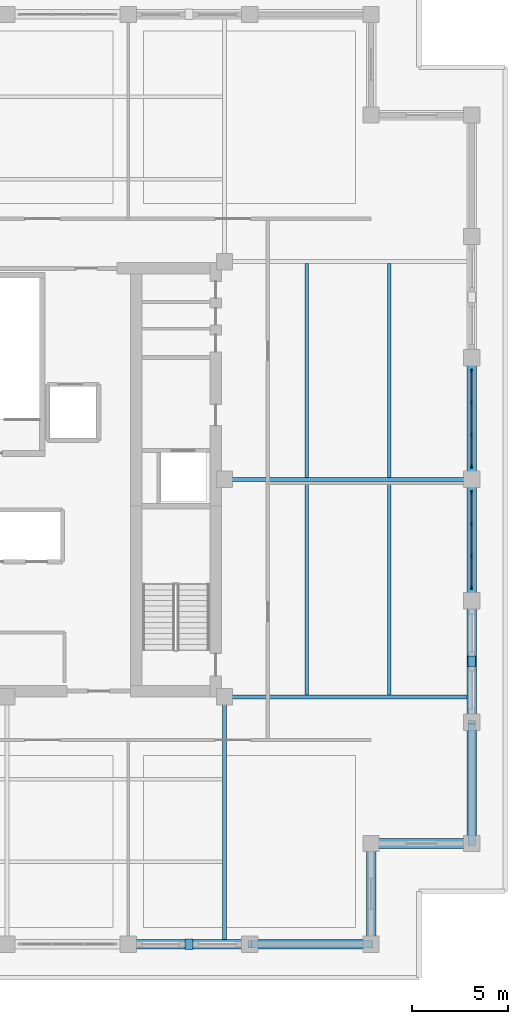
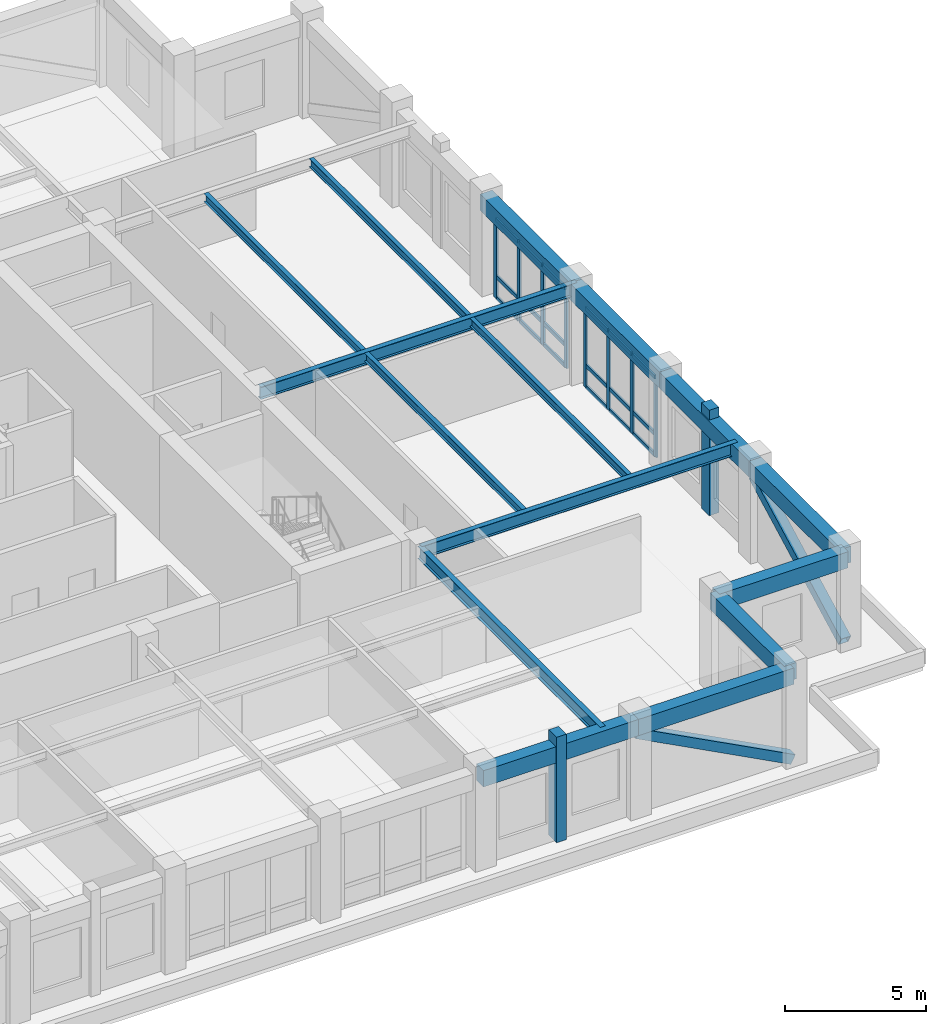
# One storey, part 4 of 14: 30 members, 15 beams, 2 elements without a shape of their own.
"""IFC4 building model written with IfcOpenShell, lengths in metres."""

from ifc_helpers import new_model, si_unit, direction, frame, origin, origin_2d, place, context, subcontext, project, spatial, rectangle, hollow_rectangle, i_section, extrude, material, layer, layer_set, material_profile, profile_set, type_object, element, aggregate, save


model = new_model("IFC4")

# Units and contexts
model_context = context("Model", 3, precision=1e-05, world=origin(), true_north=direction((0.0, 1.0)))
body_context = subcontext(model_context, "Body", "Model", "MODEL_VIEW")
ifc_project = project(units=[si_unit("LENGTHUNIT", "METRE"), si_unit("AREAUNIT", "SQUARE_METRE"), si_unit("VOLUMEUNIT", "CUBIC_METRE"), si_unit("PLANEANGLEUNIT", "RADIAN"), si_unit("MASSUNIT", "GRAM", prefix="KILO")], contexts=[model_context])

# Site, building, storey
site_placement = place(None, origin())
site = spatial("IfcSite", under=ifc_project, at=site_placement, CompositionType="ELEMENT")
building_placement = place(site_placement, origin())
building = spatial("IfcBuilding", under=site, at=building_placement, Name="Nhamokura Convention Tower", CompositionType="ELEMENT")
storey_placement = place(building_placement, frame((0.0, 0.0, 182.35009765625)))
storey = spatial("IfcBuildingStorey", under=building, at=storey_placement, Name="L44", CompositionType="ELEMENT", Elevation=182.35009765625)

# Members
ifc_material_1 = material(Name="Bronze-pigmented precast concrete C45/55", Category="concrete")
ifc_material_profile_1 = material_profile(ifc_material_1, rectangle(XDim=0.39990234375, YDim=0.550048828125, at=origin_2d()))
ifc_profile_set_1 = profile_set([ifc_material_profile_1], Name="Bronze-pigmented precast concrete C45/55")
member_type_1 = type_object("IfcMemberType", Name="BronzePilaster_550", PredefinedType="USERDEFINED", material=ifc_profile_set_1)
for number, where, z_axis, x_axis, name in (
    (1, (41.5, 7.75, 0.0), (0.0, 0.0, 1.0), (1.0, 0.0, 0.0), "L44 Engaged Frame Pilaster SOUTH 4"),
    (2, (56.25, 22.5, 0.0), (0.0, 0.0, 1.0), (1.0, 0.0, 0.0), "L44 Engaged Frame Pilaster EAST 1"),
):
    element("IfcMember", number, at=place(storey_placement, frame(where, z_axis=z_axis, x_axis=x_axis)), inside=storey, type_object=member_type_1, Name=name, ObjectType="PILASTER_TRIM", PredefinedType="USERDEFINED", context=body_context, shape_type="SweptSolid", body=[
        extrude(rectangle(XDim=0.39990234375, YDim=0.550048828125, at=origin_2d()), origin(), (0.0, 0.0, 1.0), 4.5498046875),
    ])

# Curtain wall, members
ifc_material_2 = material(Name="Anodised bronze aluminium AA6063-T6", Category="aluminium")
ifc_layer = layer(ifc_material_2, 0.18994140625)
ifc_layer_set = layer_set([ifc_layer], Name="CWSystem_SkyLobby")
curtain_wall_type = type_object("IfcCurtainWallType", Name="CWSystem_SkyLobby", PredefinedType="NOTDEFINED", material=ifc_layer_set)
curtain_wall_1_placement = place(storey_placement, origin())
curtain_wall_1 = element("IfcCurtainWall", 3, at=curtain_wall_1_placement, inside=storey, type_object=curtain_wall_type, Name="L44 Curtain Wall ENV-L44-CW-E2", PredefinedType="NOTDEFINED")
ifc_material_3 = material(Name="Anodised bronze aluminium AA6063-T6", Category="aluminium")
ifc_material_profile_2 = material_profile(ifc_material_3, rectangle(XDim=0.074951171875, YDim=0.199951171875, at=origin_2d()))
ifc_profile_set_2 = profile_set([ifc_material_profile_2], Name="Anodised bronze aluminium AA6063-T6")
member_type_2 = type_object("IfcMemberType", Name="CWMullion_2", PredefinedType="MULLION", material=ifc_profile_set_2)
member_1_placement = place(storey_placement, frame((56.25, 31.3125, 0.0), z_axis=(0.0, 0.0, 1.0), x_axis=(1.0, 0.0, 0.0)))
member_1 = element("IfcMember", 4, at=member_1_placement, type_object=member_type_2, Name="CW-06 mullion 1", PredefinedType="MULLION", context=body_context, shape_type="SweptSolid", body=[
    extrude(rectangle(XDim=0.074951171875, YDim=0.199951171875, at=origin_2d()), origin(), (0.0, 0.0, 1.0), 3.429931640625),
])
member_2_placement = place(storey_placement, frame((56.25, 29.672119140625, 0.0), z_axis=(0.0, 0.0, 1.0), x_axis=(1.0, 0.0, 0.0)))
member_2 = element("IfcMember", 5, at=member_2_placement, type_object=member_type_2, Name="CW-06 mullion 2", PredefinedType="MULLION", context=body_context, shape_type="SweptSolid", body=[
    extrude(rectangle(XDim=0.074951171875, YDim=0.199951171875, at=origin_2d()), origin(), (0.0, 0.0, 1.0), 3.429931640625),
])
member_3_placement = place(storey_placement, frame((56.25, 27.994384765625, 0.0), z_axis=(0.0, 0.0, 1.0), x_axis=(1.0, 0.0, 0.0)))
member_3 = element("IfcMember", 6, at=member_3_placement, type_object=member_type_2, Name="CW-06 mullion 3", PredefinedType="MULLION", context=body_context, shape_type="SweptSolid", body=[
    extrude(rectangle(XDim=0.074951171875, YDim=0.199951171875, at=origin_2d()), origin(), (0.0, 0.0, 1.0), 3.429931640625),
])
member_4_placement = place(storey_placement, frame((56.25, 26.354248046875, 0.0), z_axis=(0.0, 0.0, 1.0), x_axis=(1.0, 0.0, 0.0)))
member_4 = element("IfcMember", 7, at=member_4_placement, type_object=member_type_2, Name="CW-06 mullion 4", PredefinedType="MULLION", context=body_context, shape_type="SweptSolid", body=[
    extrude(rectangle(XDim=0.074951171875, YDim=0.199951171875, at=origin_2d()), origin(), (0.0, 0.0, 1.0), 3.429931640625),
])

curtain_wall_2_placement = place(storey_placement, origin())
curtain_wall_2 = element("IfcCurtainWall", 8, at=curtain_wall_2_placement, inside=storey, type_object=curtain_wall_type, Name="L44 Curtain Wall ENV-L44-CW-E3", PredefinedType="NOTDEFINED")
member_5_placement = place(storey_placement, frame((56.25, 37.645751953125, 0.0), z_axis=(0.0, 0.0, 1.0), x_axis=(1.0, 0.0, 0.0)))
member_5 = element("IfcMember", 9, at=member_5_placement, type_object=member_type_2, Name="CW-06 mullion 1", PredefinedType="MULLION", context=body_context, shape_type="SweptSolid", body=[
    extrude(rectangle(XDim=0.074951171875, YDim=0.199951171875, at=origin_2d()), origin(), (0.0, 0.0, 1.0), 3.429931640625),
])
member_6_placement = place(storey_placement, frame((56.25, 36.005615234375, 0.0), z_axis=(0.0, 0.0, 1.0), x_axis=(1.0, 0.0, 0.0)))
member_6 = element("IfcMember", 10, at=member_6_placement, type_object=member_type_2, Name="CW-06 mullion 2", PredefinedType="MULLION", context=body_context, shape_type="SweptSolid", body=[
    extrude(rectangle(XDim=0.074951171875, YDim=0.199951171875, at=origin_2d()), origin(), (0.0, 0.0, 1.0), 3.429931640625),
])
member_7_placement = place(storey_placement, frame((56.25, 34.327880859375, 0.0), z_axis=(0.0, 0.0, 1.0), x_axis=(1.0, 0.0, 0.0)))
member_7 = element("IfcMember", 11, at=member_7_placement, type_object=member_type_2, Name="CW-06 mullion 3", PredefinedType="MULLION", context=body_context, shape_type="SweptSolid", body=[
    extrude(rectangle(XDim=0.074951171875, YDim=0.199951171875, at=origin_2d()), origin(), (0.0, 0.0, 1.0), 3.429931640625),
])
member_8_placement = place(storey_placement, frame((56.25, 32.6875, 0.0), z_axis=(0.0, 0.0, 1.0), x_axis=(1.0, 0.0, 0.0)))
member_8 = element("IfcMember", 12, at=member_8_placement, type_object=member_type_2, Name="CW-06 mullion 4", PredefinedType="MULLION", context=body_context, shape_type="SweptSolid", body=[
    extrude(rectangle(XDim=0.074951171875, YDim=0.199951171875, at=origin_2d()), origin(), (0.0, 0.0, 1.0), 3.429931640625),
])

# Member
ifc_material_4 = material(Name="Anodised bronze aluminium AA6063-T6", Category="aluminium")
ifc_material_profile_3 = material_profile(ifc_material_4, rectangle(XDim=0.074951171875, YDim=0.169921875, at=origin_2d()))
ifc_profile_set_3 = profile_set([ifc_material_profile_3], Name="Anodised bronze aluminium AA6063-T6")
member_type_3 = type_object("IfcMemberType", Name="CWTransom_2", PredefinedType="USERDEFINED", material=ifc_profile_set_3)
member_9_placement = place(storey_placement, frame((56.25, 31.27490234375, 0.037353515625), z_axis=(0.0, -1.0, 0.0), x_axis=(1.0, 0.0, 0.0)))
member_9 = element("IfcMember", 13, at=member_9_placement, type_object=member_type_3, Name="CW-06 transom 1.1", ObjectType="TRANSOM", PredefinedType="USERDEFINED", context=body_context, shape_type="SweptSolid", body=[
    extrude(rectangle(XDim=0.074951171875, YDim=0.169921875, at=origin_2d()), origin(), (0.0, 0.0, 1.0), 1.565185546875),
])

member_10_placement = place(storey_placement, frame((56.25, 31.27490234375, 0.949951171875), z_axis=(0.0, -1.0, 0.0), x_axis=(1.0, 0.0, 0.0)))
member_10 = element("IfcMember", 14, at=member_10_placement, type_object=member_type_3, Name="CW-06 transom 1.2", ObjectType="TRANSOM", PredefinedType="USERDEFINED", context=body_context, shape_type="SweptSolid", body=[
    extrude(rectangle(XDim=0.074951171875, YDim=0.169921875, at=origin_2d()), origin(), (0.0, 0.0, 1.0), 1.565185546875),
])

member_11_placement = place(storey_placement, frame((56.25, 31.27490234375, 3.392333984375), z_axis=(0.0, -1.0, 0.0), x_axis=(1.0, 0.0, 0.0)))
member_11 = element("IfcMember", 15, at=member_11_placement, type_object=member_type_3, Name="CW-06 transom 1.3", ObjectType="TRANSOM", PredefinedType="USERDEFINED", context=body_context, shape_type="SweptSolid", body=[
    extrude(rectangle(XDim=0.074951171875, YDim=0.169921875, at=origin_2d()), origin(), (0.0, 0.0, 1.0), 1.565185546875),
])

member_12_placement = place(storey_placement, frame((56.25, 29.634765625, 0.037353515625), z_axis=(0.0, -1.0, 0.0), x_axis=(1.0, 0.0, 0.0)))
member_12 = element("IfcMember", 16, at=member_12_placement, type_object=member_type_3, Name="CW-06 transom 2.1", ObjectType="TRANSOM", PredefinedType="USERDEFINED", context=body_context, shape_type="SweptSolid", body=[
    extrude(rectangle(XDim=0.074951171875, YDim=0.169921875, at=origin_2d()), origin(), (0.0, 0.0, 1.0), 1.602783203125),
])

member_13_placement = place(storey_placement, frame((56.25, 29.634765625, 0.949951171875), z_axis=(0.0, -1.0, 0.0), x_axis=(1.0, 0.0, 0.0)))
member_13 = element("IfcMember", 17, at=member_13_placement, type_object=member_type_3, Name="CW-06 transom 2.2", ObjectType="TRANSOM", PredefinedType="USERDEFINED", context=body_context, shape_type="SweptSolid", body=[
    extrude(rectangle(XDim=0.074951171875, YDim=0.169921875, at=origin_2d()), origin(), (0.0, 0.0, 1.0), 1.602783203125),
])

member_14_placement = place(storey_placement, frame((56.25, 29.634765625, 3.392333984375), z_axis=(0.0, -1.0, 0.0), x_axis=(1.0, 0.0, 0.0)))
member_14 = element("IfcMember", 18, at=member_14_placement, type_object=member_type_3, Name="CW-06 transom 2.3", ObjectType="TRANSOM", PredefinedType="USERDEFINED", context=body_context, shape_type="SweptSolid", body=[
    extrude(rectangle(XDim=0.074951171875, YDim=0.169921875, at=origin_2d()), origin(), (0.0, 0.0, 1.0), 1.602783203125),
])

member_15_placement = place(storey_placement, frame((56.25, 27.95703125, 0.037353515625), z_axis=(0.0, -1.0, 0.0), x_axis=(1.0, 0.0, 0.0)))
member_15 = element("IfcMember", 19, at=member_15_placement, type_object=member_type_3, Name="CW-06 transom 3.1", ObjectType="TRANSOM", PredefinedType="USERDEFINED", context=body_context, shape_type="SweptSolid", body=[
    extrude(rectangle(XDim=0.074951171875, YDim=0.169921875, at=origin_2d()), origin(), (0.0, 0.0, 1.0), 1.5654296875),
])

member_16_placement = place(storey_placement, frame((56.25, 27.95703125, 0.949951171875), z_axis=(0.0, -1.0, 0.0), x_axis=(1.0, 0.0, 0.0)))
member_16 = element("IfcMember", 20, at=member_16_placement, type_object=member_type_3, Name="CW-06 transom 3.2", ObjectType="TRANSOM", PredefinedType="USERDEFINED", context=body_context, shape_type="SweptSolid", body=[
    extrude(rectangle(XDim=0.074951171875, YDim=0.169921875, at=origin_2d()), origin(), (0.0, 0.0, 1.0), 1.5654296875),
])

member_17_placement = place(storey_placement, frame((56.25, 27.95703125, 3.392333984375), z_axis=(0.0, -1.0, 0.0), x_axis=(1.0, 0.0, 0.0)))
member_17 = element("IfcMember", 21, at=member_17_placement, type_object=member_type_3, Name="CW-06 transom 3.3", ObjectType="TRANSOM", PredefinedType="USERDEFINED", context=body_context, shape_type="SweptSolid", body=[
    extrude(rectangle(XDim=0.074951171875, YDim=0.169921875, at=origin_2d()), origin(), (0.0, 0.0, 1.0), 1.5654296875),
])

aggregate(curtain_wall_1, [member_1, member_2, member_3, member_4, member_9, member_10, member_11, member_12, member_13, member_14, member_15, member_16, member_17])

member_18_placement = place(storey_placement, frame((56.25, 37.6083984375, 0.037353515625), z_axis=(0.0, -1.0, 0.0), x_axis=(1.0, 0.0, 0.0)))
member_18 = element("IfcMember", 22, at=member_18_placement, type_object=member_type_3, Name="CW-06 transom 1.1", ObjectType="TRANSOM", PredefinedType="USERDEFINED", context=body_context, shape_type="SweptSolid", body=[
    extrude(rectangle(XDim=0.074951171875, YDim=0.169921875, at=origin_2d()), origin(), (0.0, 0.0, 1.0), 1.5654296875),
])

member_19_placement = place(storey_placement, frame((56.25, 37.6083984375, 0.949951171875), z_axis=(0.0, -1.0, 0.0), x_axis=(1.0, 0.0, 0.0)))
member_19 = element("IfcMember", 23, at=member_19_placement, type_object=member_type_3, Name="CW-06 transom 1.2", ObjectType="TRANSOM", PredefinedType="USERDEFINED", context=body_context, shape_type="SweptSolid", body=[
    extrude(rectangle(XDim=0.074951171875, YDim=0.169921875, at=origin_2d()), origin(), (0.0, 0.0, 1.0), 1.5654296875),
])

member_20_placement = place(storey_placement, frame((56.25, 37.6083984375, 3.392333984375), z_axis=(0.0, -1.0, 0.0), x_axis=(1.0, 0.0, 0.0)))
member_20 = element("IfcMember", 24, at=member_20_placement, type_object=member_type_3, Name="CW-06 transom 1.3", ObjectType="TRANSOM", PredefinedType="USERDEFINED", context=body_context, shape_type="SweptSolid", body=[
    extrude(rectangle(XDim=0.074951171875, YDim=0.169921875, at=origin_2d()), origin(), (0.0, 0.0, 1.0), 1.5654296875),
])

member_21_placement = place(storey_placement, frame((56.25, 35.968017578125, 0.037353515625), z_axis=(0.0, -1.0, 0.0), x_axis=(1.0, 0.0, 0.0)))
member_21 = element("IfcMember", 25, at=member_21_placement, type_object=member_type_3, Name="CW-06 transom 2.1", ObjectType="TRANSOM", PredefinedType="USERDEFINED", context=body_context, shape_type="SweptSolid", body=[
    extrude(rectangle(XDim=0.074951171875, YDim=0.169921875, at=origin_2d()), origin(), (0.0, 0.0, 1.0), 1.602783203125),
])

member_22_placement = place(storey_placement, frame((56.25, 35.968017578125, 0.949951171875), z_axis=(0.0, -1.0, 0.0), x_axis=(1.0, 0.0, 0.0)))
member_22 = element("IfcMember", 26, at=member_22_placement, type_object=member_type_3, Name="CW-06 transom 2.2", ObjectType="TRANSOM", PredefinedType="USERDEFINED", context=body_context, shape_type="SweptSolid", body=[
    extrude(rectangle(XDim=0.074951171875, YDim=0.169921875, at=origin_2d()), origin(), (0.0, 0.0, 1.0), 1.602783203125),
])

member_23_placement = place(storey_placement, frame((56.25, 35.968017578125, 3.392333984375), z_axis=(0.0, -1.0, 0.0), x_axis=(1.0, 0.0, 0.0)))
member_23 = element("IfcMember", 27, at=member_23_placement, type_object=member_type_3, Name="CW-06 transom 2.3", ObjectType="TRANSOM", PredefinedType="USERDEFINED", context=body_context, shape_type="SweptSolid", body=[
    extrude(rectangle(XDim=0.074951171875, YDim=0.169921875, at=origin_2d()), origin(), (0.0, 0.0, 1.0), 1.602783203125),
])

member_24_placement = place(storey_placement, frame((56.25, 34.290283203125, 0.037353515625), z_axis=(0.0, -1.0, 0.0), x_axis=(1.0, 0.0, 0.0)))
member_24 = element("IfcMember", 28, at=member_24_placement, type_object=member_type_3, Name="CW-06 transom 3.1", ObjectType="TRANSOM", PredefinedType="USERDEFINED", context=body_context, shape_type="SweptSolid", body=[
    extrude(rectangle(XDim=0.074951171875, YDim=0.169921875, at=origin_2d()), origin(), (0.0, 0.0, 1.0), 1.565185546875),
])

member_25_placement = place(storey_placement, frame((56.25, 34.290283203125, 0.949951171875), z_axis=(0.0, -1.0, 0.0), x_axis=(1.0, 0.0, 0.0)))
member_25 = element("IfcMember", 29, at=member_25_placement, type_object=member_type_3, Name="CW-06 transom 3.2", ObjectType="TRANSOM", PredefinedType="USERDEFINED", context=body_context, shape_type="SweptSolid", body=[
    extrude(rectangle(XDim=0.074951171875, YDim=0.169921875, at=origin_2d()), origin(), (0.0, 0.0, 1.0), 1.565185546875),
])

member_26_placement = place(storey_placement, frame((56.25, 34.290283203125, 3.392333984375), z_axis=(0.0, -1.0, 0.0), x_axis=(1.0, 0.0, 0.0)))
member_26 = element("IfcMember", 30, at=member_26_placement, type_object=member_type_3, Name="CW-06 transom 3.3", ObjectType="TRANSOM", PredefinedType="USERDEFINED", context=body_context, shape_type="SweptSolid", body=[
    extrude(rectangle(XDim=0.074951171875, YDim=0.169921875, at=origin_2d()), origin(), (0.0, 0.0, 1.0), 1.565185546875),
])

aggregate(curtain_wall_2, [member_5, member_6, member_7, member_8, member_18, member_19, member_20, member_21, member_22, member_23, member_24, member_25, member_26])

# Beams
ifc_material_5 = material(Name="Steel ASTM A992 Gr 50", Category="steel")
ifc_material_profile_4 = material_profile(ifc_material_5, i_section(OverallWidth=0.172119140625, OverallDepth=0.35791015625, WebThickness=0.0078125, FlangeThickness=0.01318359375, at=origin_2d()))
ifc_profile_set_4 = profile_set([ifc_material_profile_4], Name="Steel ASTM A992 Gr 50")
beam_type_1 = type_object("IfcBeamType", Name="FloorJoist_W360X57", PredefinedType="JOIST", material=ifc_profile_set_4)
for number, where, z_axis, x_axis, name in (
    (31, (47.64990234375, 20.75341796875, 3.950927734375), (0.0, 1.0, 0.0), (-1.0, 0.0, 0.0), "L44 Composite Floor Joist E1A"),
    (32, (47.64990234375, 32.103515625, 3.950927734375), (0.0, 1.0, 0.0), (-1.0, 0.0, 0.0), "L44 Composite Floor Joist E1B"),
    (33, (51.949951171875, 20.75341796875, 3.950927734375), (0.0, 1.0, 0.0), (-1.0, 0.0, 0.0), "L44 Composite Floor Joist E2A"),
    (34, (51.949951171875, 32.103515625, 3.950927734375), (0.0, 1.0, 0.0), (-1.0, 0.0, 0.0), "L44 Composite Floor Joist E2B"),
):
    element("IfcBeam", number, at=place(storey_placement, frame(where, z_axis=z_axis, x_axis=x_axis)), inside=storey, type_object=beam_type_1, Name=name, PredefinedType="JOIST", context=body_context, shape_type="SweptSolid", body=[
        extrude(i_section(OverallWidth=0.172119140625, OverallDepth=0.35791015625, WebThickness=0.0078125, FlangeThickness=0.01318359375, at=origin_2d()), origin(), (0.0, 0.0, 1.0), 11.14306640625),
    ])
ifc_material_6 = material(Name="Steel ASTM A992 Gr 50", Category="steel")
ifc_material_profile_5 = material_profile(ifc_material_6, i_section(OverallWidth=0.2109375, OverallDepth=0.5390625, WebThickness=0.01171875, FlangeThickness=0.018798828125, at=origin_2d()))
ifc_profile_set_5 = profile_set([ifc_material_profile_5], Name="Steel ASTM A992 Gr 50")
beam_type_2 = type_object("IfcBeamType", Name="PrimaryGirder_W530X109", PredefinedType="BEAM", material=ifc_profile_set_5)
for number, where, z_axis, x_axis, name in (
    (35, (43.35009765625, 7.75, 3.8603515625), (0.0, 1.0, 0.0), (-1.0, 0.0, 0.0), "L44 Primary Floor Girder PG-S3"),
    (36, (43.35009765625, 20.64990234375, 3.8603515625), (1.0, 0.0, 0.0), (0.0, 1.0, 0.0), "L44 Primary Floor Girder PG-E1"),
    (37, (43.35009765625, 32.0, 3.8603515625), (1.0, 0.0, 0.0), (0.0, 1.0, 0.0), "L44 Primary Floor Girder PG-E2"),
):
    element("IfcBeam", number, at=place(storey_placement, frame(where, z_axis=z_axis, x_axis=x_axis)), inside=storey, type_object=beam_type_2, Name=name, PredefinedType="BEAM", context=body_context, shape_type="SweptSolid", body=[
        extrude(i_section(OverallWidth=0.2109375, OverallDepth=0.5390625, WebThickness=0.01171875, FlangeThickness=0.018798828125, at=origin_2d()), origin(), (0.0, 0.0, 1.0), 12.89990234375),
    ])

# Members
ifc_material_7 = material(Name="Steel ASTM A572 Gr 50", Category="steel")
ifc_material_profile_6 = material_profile(ifc_material_7, hollow_rectangle(XDim=0.39990234375, YDim=0.39990234375, WallThickness=0.02001953125, at=origin_2d()))
ifc_profile_set_6 = profile_set([ifc_material_profile_6], Name="Steel ASTM A572 Gr 50")
member_type_4 = type_object("IfcMemberType", Name="TubeBrace_HSS400", PredefinedType="BRACE", material=ifc_profile_set_6)
for number, where, z_axis, x_axis, name in (
    (38, (51.0, 7.75, 0.14990234375), (-0.885103184305, 0.0, 0.46539483574), (0.0, -1.0, 0.0), "L44 Perimeter Tube Brace SOUTH Bay 5"),
    (39, (56.25, 13.0, 0.14990234375), (0.0, 0.885103184305, 0.46539483574), (-1.0, 0.0, 0.0), "L44 Perimeter Tube Brace EAST Bay 0"),
):
    element("IfcMember", number, at=place(storey_placement, frame(where, z_axis=z_axis, x_axis=x_axis)), inside=storey, type_object=member_type_4, Name=name, PredefinedType="BRACE", context=body_context, shape_type="SweptSolid", body=[
        extrude(hollow_rectangle(XDim=0.39990234375, YDim=0.39990234375, WallThickness=0.02001953125, at=origin_2d()), origin(), (0.0, 0.0, 1.0), 7.1552734375),
    ])

# Beams
ifc_material_8 = material(Name="Concrete C50/60", Category="concrete")
ifc_material_profile_7 = material_profile(ifc_material_8, rectangle(XDim=0.5, YDim=0.699951171875, at=origin_2d()))
ifc_profile_set_7 = profile_set([ifc_material_profile_7], Name="Concrete C50/60")
beam_type_3 = type_object("IfcBeamType", Name="TubeSpandrel_700", PredefinedType="SPANDREL", material=ifc_profile_set_7)
beam_1_placement = place(storey_placement, frame((38.333251953125, 7.75, 3.77978515625), z_axis=(1.0, 0.0, 0.0), x_axis=(0.0, 1.0, 0.0)))
element("IfcBeam", 40, at=beam_1_placement, inside=storey, type_object=beam_type_3, Name="L44 Perimeter Spandrel SOUTH 5", PredefinedType="SPANDREL", context=body_context, shape_type="SweptSolid", body=[
    extrude(rectangle(XDim=0.5, YDim=0.699951171875, at=origin_2d()), origin(), (0.0, 0.0, 1.0), 6.33349609375),
])
for number, where, z_axis, x_axis, name in (
    (41, (44.666748046875, 7.75, 3.77978515625), (1.0, 0.0, 0.0), (0.0, 1.0, 0.0), "L44 Perimeter Spandrel SOUTH 6"),
    (42, (56.25, 13.0, 3.77978515625), (0.0, 1.0, 0.0), (-1.0, 0.0, 0.0), "L44 Perimeter Spandrel EAST 1"),
):
    element("IfcBeam", number, at=place(storey_placement, frame(where, z_axis=z_axis, x_axis=x_axis)), inside=storey, type_object=beam_type_3, Name=name, PredefinedType="SPANDREL", context=body_context, shape_type="SweptSolid", body=[
        extrude(rectangle(XDim=0.5, YDim=0.699951171875, at=origin_2d()), origin(), (0.0, 0.0, 1.0), 6.333251953125),
    ])
beam_2_placement = place(storey_placement, frame((56.25, 19.333251953125, 3.77978515625), z_axis=(0.0, 1.0, 0.0), x_axis=(-1.0, 0.0, 0.0)))
element("IfcBeam", 43, at=beam_2_placement, inside=storey, type_object=beam_type_3, Name="L44 Perimeter Spandrel EAST 2", PredefinedType="SPANDREL", context=body_context, shape_type="SweptSolid", body=[
    extrude(rectangle(XDim=0.5, YDim=0.699951171875, at=origin_2d()), origin(), (0.0, 0.0, 1.0), 6.33349609375),
])
for number, where, z_axis, x_axis, name in (
    (44, (56.25, 25.666748046875, 3.77978515625), (0.0, 1.0, 0.0), (-1.0, 0.0, 0.0), "L44 Perimeter Spandrel EAST 3"),
    (45, (56.25, 32.0, 3.77978515625), (0.0, 1.0, 0.0), (-1.0, 0.0, 0.0), "L44 Perimeter Spandrel EAST 4"),
):
    element("IfcBeam", number, at=place(storey_placement, frame(where, z_axis=z_axis, x_axis=x_axis)), inside=storey, type_object=beam_type_3, Name=name, PredefinedType="SPANDREL", context=body_context, shape_type="SweptSolid", body=[
        extrude(rectangle(XDim=0.5, YDim=0.699951171875, at=origin_2d()), origin(), (0.0, 0.0, 1.0), 6.333251953125),
    ])
for number, where, z_axis, x_axis, name in (
    (46, (51.0, 7.75, 3.77978515625), (0.0, 1.0, 0.0), (-1.0, 0.0, 0.0), "L44 Notch Spandrel SE1"),
    (47, (51.0, 13.0, 3.77978515625), (1.0, 0.0, 0.0), (0.0, 1.0, 0.0), "L44 Notch Spandrel SE2"),
):
    element("IfcBeam", number, at=place(storey_placement, frame(where, z_axis=z_axis, x_axis=x_axis)), inside=storey, type_object=beam_type_3, Name=name, PredefinedType="SPANDREL", context=body_context, shape_type="SweptSolid", body=[
        extrude(rectangle(XDim=0.5, YDim=0.699951171875, at=origin_2d()), origin(), (0.0, 0.0, 1.0), 5.25),
    ])

save(model, "model.ifc")
